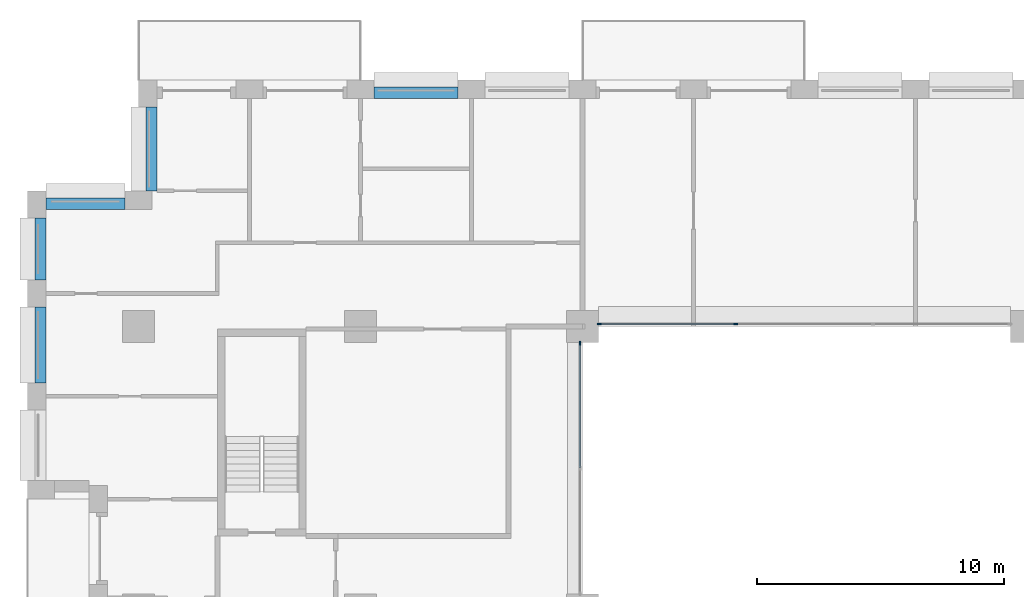
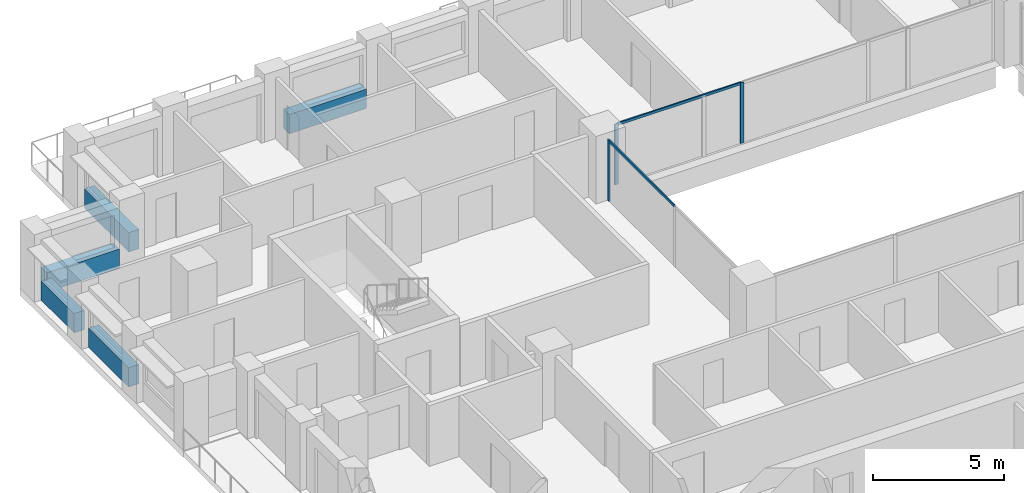
# One storey, part 5 of 16: 5 beams, 5 members, 2 elements without a shape of their own.
"""IFC4 building model written with IfcOpenShell, lengths in metres."""

from ifc_helpers import new_model, si_unit, direction, frame, origin, origin_2d, place, context, subcontext, project, spatial, rectangle, extrude, material, layer, layer_set, material_profile, profile_set, type_object, element, aggregate, save


model = new_model("IFC4")

# Units and contexts
model_context = context("Model", 3, precision=1e-05, world=origin(), true_north=direction((0.0, 1.0)))
body_context = subcontext(model_context, "Body", "Model", "MODEL_VIEW")
ifc_project = project(units=[si_unit("LENGTHUNIT", "METRE"), si_unit("AREAUNIT", "SQUARE_METRE"), si_unit("VOLUMEUNIT", "CUBIC_METRE"), si_unit("PLANEANGLEUNIT", "RADIAN"), si_unit("MASSUNIT", "GRAM", prefix="KILO")], contexts=[model_context])

# Site, building, storey
site_placement = place(None, origin())
site = spatial("IfcSite", under=ifc_project, at=site_placement, CompositionType="ELEMENT")
building_placement = place(site_placement, origin())
building = spatial("IfcBuilding", under=site, at=building_placement, Name="Brigalow Station Residences", CompositionType="ELEMENT")
storey_placement = place(building_placement, frame((0.0, 0.0, 93.0)))
storey = spatial("IfcBuildingStorey", under=building, at=storey_placement, Name="L26", CompositionType="ELEMENT", Elevation=93.0)

# Curtain wall, members
ifc_material_1 = material(Name="Aluminium", Category="aluminium")
ifc_layer = layer(ifc_material_1, 0.14990234375)
ifc_layer_set = layer_set([ifc_layer], Name="ATRIUM FIRE-RATED GLAZING CURTAIN WALL")
curtain_wall_type = type_object("IfcCurtainWallType", Name="ATRIUM FIRE-RATED GLAZING CURTAIN WALL", PredefinedType="NOTDEFINED", material=ifc_layer_set)
curtain_wall_1_placement = place(storey_placement, origin())
curtain_wall_1 = element("IfcCurtainWall", 1, at=curtain_wall_1_placement, inside=storey, type_object=curtain_wall_type, Name="L26/cw/atrium-N", PredefinedType="NOTDEFINED")
ifc_material_2 = material(Name="Aluminium", Category="aluminium")
ifc_material_profile_1 = material_profile(ifc_material_2, rectangle(XDim=0.06005859375, YDim=0.14990234375, at=origin_2d()), Name="ATRIUM FIRE-RATED GLAZING MULLION 60x150")
ifc_profile_set_1 = profile_set([ifc_material_profile_1], Name="Aluminium")
member_type_1 = type_object("IfcMemberType", Name="ATRIUM FIRE-RATED GLAZING MULLION 60x150", PredefinedType="MULLION", material=ifc_profile_set_1)
member_1_placement = place(storey_placement, frame((33.216796875, 35.60009765625, 0.0), z_axis=(0.0, 0.0, 1.0), x_axis=(0.0, -1.0, 0.0)))
member_1 = element("IfcMember", 2, at=member_1_placement, type_object=member_type_1, Name="L26/cw/atrium-N/M02", PredefinedType="MULLION", context=body_context, shape_type="SweptSolid", body=[
    extrude(rectangle(XDim=0.06005859375, YDim=0.14990234375, at=origin_2d()), origin(), (0.0, 0.0, 1.0), 2.830078125),
])
member_2_placement = place(storey_placement, frame((27.679931640625, 35.60009765625, 0.0), z_axis=(0.0, 0.0, 1.0), x_axis=(0.0, -1.0, 0.0)))
member_2 = element("IfcMember", 3, at=member_2_placement, type_object=member_type_1, Name="L26/cw/atrium-N/M03", PredefinedType="MULLION", context=body_context, shape_type="SweptSolid", body=[
    extrude(rectangle(XDim=0.06005859375, YDim=0.14990234375, at=origin_2d()), origin(), (0.0, 0.0, 1.0), 2.830078125),
])

# Curtain wall, member
curtain_wall_2_placement = place(storey_placement, origin())
curtain_wall_2 = element("IfcCurtainWall", 4, at=curtain_wall_2_placement, inside=storey, type_object=curtain_wall_type, Name="L26/cw/atrium-W", PredefinedType="NOTDEFINED")
member_3_placement = place(storey_placement, frame((26.89990234375, 34.820068359375, 0.0), z_axis=(0.0, 0.0, 1.0), x_axis=(1.0, 0.0, 0.0)))
member_3 = element("IfcMember", 5, at=member_3_placement, type_object=member_type_1, Name="L26/cw/atrium-W/M00", PredefinedType="MULLION", context=body_context, shape_type="SweptSolid", body=[
    extrude(rectangle(XDim=0.06005859375, YDim=0.14990234375, at=origin_2d()), origin(), (0.0, 0.0, 1.0), 2.830078125),
])

# Member
ifc_material_3 = material(Name="Aluminium", Category="aluminium")
ifc_material_profile_2 = material_profile(ifc_material_3, rectangle(XDim=0.06005859375, YDim=0.1201171875, at=origin_2d()), Name="ATRIUM FIRE-RATED GLAZING TRANSOM 60x120")
ifc_profile_set_2 = profile_set([ifc_material_profile_2], Name="Aluminium")
member_type_2 = type_object("IfcMemberType", Name="ATRIUM FIRE-RATED GLAZING TRANSOM 60x120", PredefinedType="USERDEFINED", material=ifc_profile_set_2)
member_4_placement = place(storey_placement, frame((33.186767578125, 35.60009765625, 2.800048828125), z_axis=(-1.0, 0.0, 0.0), x_axis=(0.0, -1.0, 0.0)))
member_4 = element("IfcMember", 6, at=member_4_placement, type_object=member_type_2, Name="L26/cw/atrium-N/T02-00", ObjectType="TRANSOM", PredefinedType="USERDEFINED", context=body_context, shape_type="SweptSolid", body=[
    extrude(rectangle(XDim=0.06005859375, YDim=0.1201171875, at=origin_2d()), origin(), (0.0, 0.0, 1.0), 5.476806640625),
])

aggregate(curtain_wall_1, [member_1, member_2, member_4])

member_5_placement = place(storey_placement, frame((26.89990234375, 34.7900390625, 2.800048828125), z_axis=(0.0, -1.0, 0.0), x_axis=(1.0, 0.0, 0.0)))
member_5 = element("IfcMember", 7, at=member_5_placement, type_object=member_type_2, Name="L26/cw/atrium-W/T00-00", ObjectType="TRANSOM", PredefinedType="USERDEFINED", context=body_context, shape_type="SweptSolid", body=[
    extrude(rectangle(XDim=0.06005859375, YDim=0.1201171875, at=origin_2d()), origin(), (0.0, 0.0, 1.0), 5.010009765625),
])

aggregate(curtain_wall_2, [member_3, member_5])

# Beams
ifc_material_4 = material(Name="Concrete C65", Category="concrete")
ifc_material_profile_3 = material_profile(ifc_material_4, rectangle(XDim=0.449951171875, YDim=0.89990234375, at=origin_2d()), Name="RC450x900")
ifc_profile_set_3 = profile_set([ifc_material_profile_3], Name="Concrete C65")
beam_type = type_object("IfcBeamType", Name="SPANDREL BEAM 450x900 C65", PredefinedType="SPANDREL", material=ifc_profile_set_3)
for number, where, z_axis, x_axis, name in (
    (8, (21.949951171875, 44.97509765625, 0.449951171875), (-1.0, 0.0, 0.0), (0.0, -1.0, 0.0), "L26/spandrel/W-L26-34"),
    (9, (9.52490234375, 44.39990234375, 0.449951171875), (0.0, -1.0, 0.0), (1.0, 0.0, 0.0), "L26/spandrel/W-L26-37"),
):
    element("IfcBeam", number, at=place(storey_placement, frame(where, z_axis=z_axis, x_axis=x_axis)), inside=storey, type_object=beam_type, Name=name, PredefinedType="SPANDREL", context=body_context, shape_type="SweptSolid", body=[
        extrude(rectangle(XDim=0.449951171875, YDim=0.89990234375, at=origin_2d()), origin(), (0.0, 0.0, 1.0), 3.39990234375),
    ])
beam_1_placement = place(storey_placement, frame((8.449951171875, 40.47509765625, 0.449951171875), z_axis=(-1.0, 0.0, 0.0), x_axis=(0.0, -1.0, 0.0)))
element("IfcBeam", 10, at=beam_1_placement, inside=storey, type_object=beam_type, Name="L26/spandrel/W-L26-38", PredefinedType="SPANDREL", context=body_context, shape_type="SweptSolid", body=[
    extrude(rectangle(XDim=0.449951171875, YDim=0.89990234375, at=origin_2d()), origin(), (0.0, 0.0, 1.0), 3.199951171875),
])
beam_2_placement = place(storey_placement, frame((5.02490234375, 39.89990234375, 0.449951171875), z_axis=(0.0, -1.0, 0.0), x_axis=(1.0, 0.0, 0.0)))
element("IfcBeam", 11, at=beam_2_placement, inside=storey, type_object=beam_type, Name="L26/spandrel/W-L26-39", PredefinedType="SPANDREL", context=body_context, shape_type="SweptSolid", body=[
    extrude(rectangle(XDim=0.449951171875, YDim=0.89990234375, at=origin_2d()), origin(), (0.0, 0.0, 1.0), 2.516845703125),
])
beam_3_placement = place(storey_placement, frame((5.02490234375, 36.282958984375, 0.449951171875), z_axis=(0.0, -1.0, 0.0), x_axis=(1.0, 0.0, 0.0)))
element("IfcBeam", 12, at=beam_3_placement, inside=storey, type_object=beam_type, Name="L26/spandrel/W-L26-40", PredefinedType="SPANDREL", context=body_context, shape_type="SweptSolid", body=[
    extrude(rectangle(XDim=0.449951171875, YDim=0.89990234375, at=origin_2d()), origin(), (0.0, 0.0, 1.0), 3.06591796875),
])

save(model, "model.ifc")
